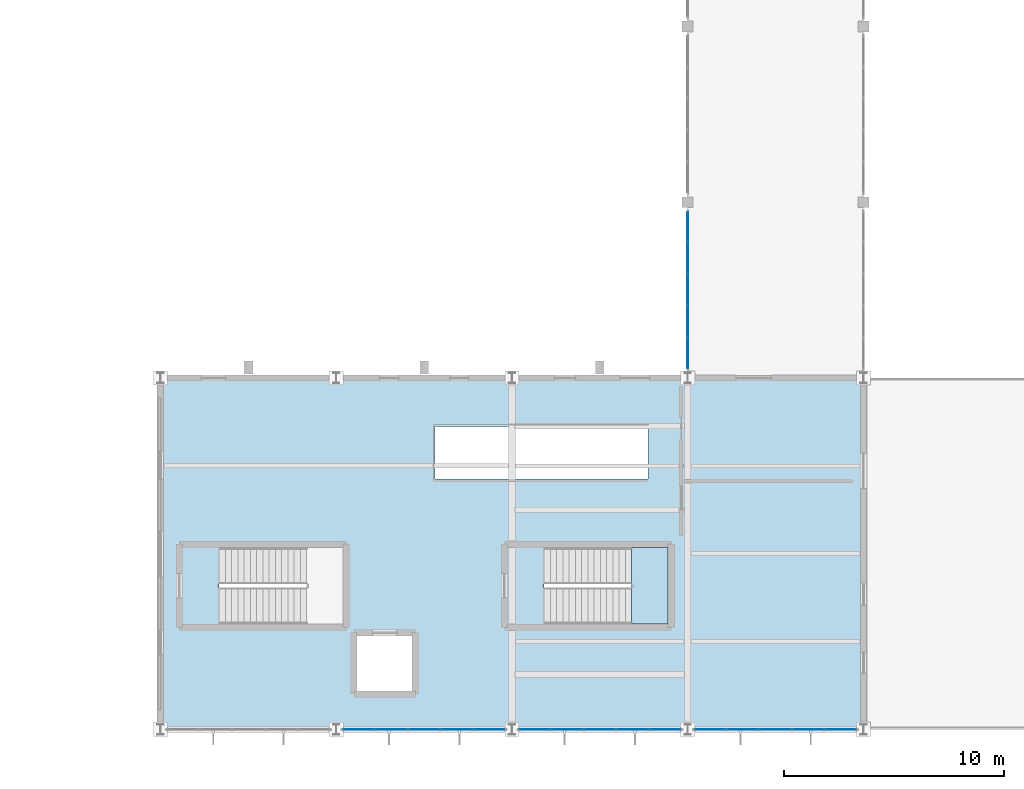
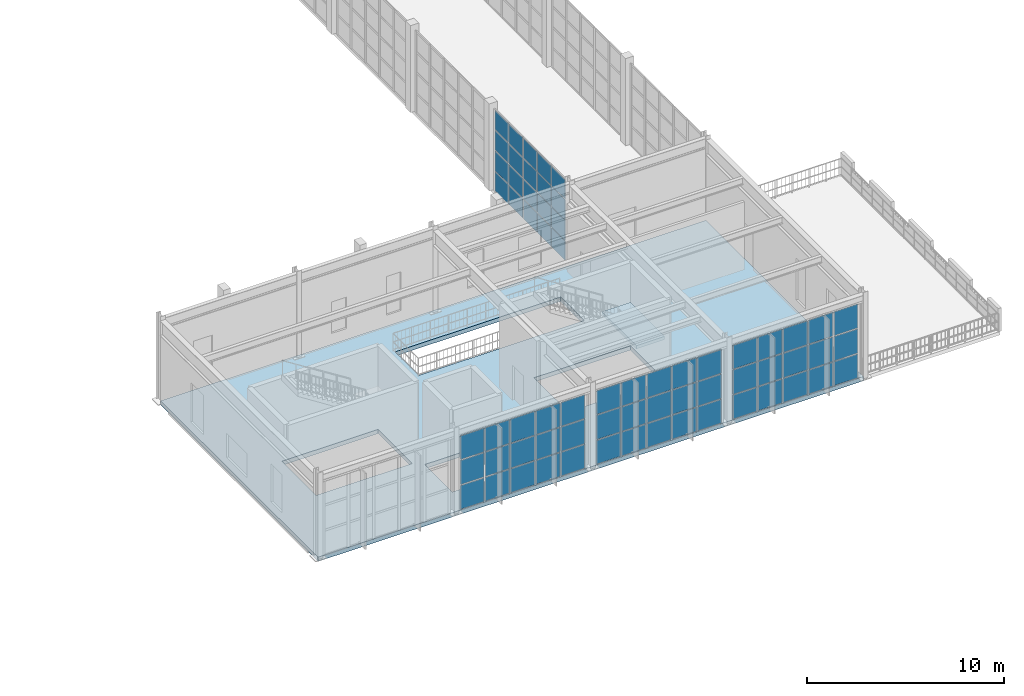
# One storey, part 50 of 82: 65 plates, 2 slabs, 5 elements without a shape of their own.
"""IFC4 building model written with IfcOpenShell, lengths in metres."""

from ifc_helpers import new_model, si_unit, direction, frame, origin, origin_2d, place, context, subcontext, project, spatial, polyline, rectangle, outline, extrude, material, layer, layer_set, type_object, element, aggregate, save


model = new_model("IFC4")

# Units and contexts
model_context = context("Model", 3, precision=1e-05, world=origin(), true_north=direction((0.0, 1.0)))
body_context = subcontext(model_context, "Body", "Model", "MODEL_VIEW")
ifc_project = project(units=[si_unit("LENGTHUNIT", "METRE"), si_unit("AREAUNIT", "SQUARE_METRE"), si_unit("VOLUMEUNIT", "CUBIC_METRE"), si_unit("PLANEANGLEUNIT", "RADIAN"), si_unit("MASSUNIT", "GRAM", prefix="KILO")], contexts=[model_context])

# Site, building, storey
site_placement = place(None, origin())
site = spatial("IfcSite", under=ifc_project, at=site_placement, CompositionType="ELEMENT")
building_placement = place(site_placement, origin())
building = spatial("IfcBuilding", under=site, at=building_placement, Name="Serraluz Foothill Cableway Terminal", CompositionType="ELEMENT")
storey_placement = place(building_placement, frame((0.0, 0.0, 9.60009765625)))
storey = spatial("IfcBuildingStorey", under=building, at=storey_placement, Name="L02", CompositionType="ELEMENT", Elevation=9.60009765625)

# Curtain wall, plates
ifc_material_1 = material(Name="Architectural bronze alloy C28000", Category="aluminium")
curtain_wall_type_1 = type_object("IfcCurtainWallType", Name="TYP-CW-710X420", PredefinedType="NOTDEFINED", material=ifc_material_1)
curtain_wall_1_placement = place(storey_placement, origin())
curtain_wall_1 = element("IfcCurtainWall", 1, at=curtain_wall_1_placement, inside=storey, type_object=curtain_wall_type_1, Name="Ribbed Glazed Curtain Wall CW-CLW-L02-16", PredefinedType="NOTDEFINED")
ifc_material_2 = material(Name="Translucent ribbed laminated channel glass", Category="glass")
ifc_layer_1 = layer(ifc_material_2, 0.028076171875, Name="Translucent ribbed laminated channel glass", Category="glass")
ifc_layer_set_1 = layer_set([ifc_layer_1], Name="Translucent ribbed laminated channel glass")
plate_type_1 = type_object("IfcPlateType", Name="TYP-CW-PNL-28", PredefinedType="CURTAIN_PANEL", material=ifc_layer_set_1)
plate_1_placement = place(storey_placement, frame((120.0, 17.114501953125, 0.059814453125), z_axis=(0.0, 0.0, 1.0), x_axis=(0.0, 1.0, 0.0)))
plate_1 = element("IfcPlate", 2, at=plate_1_placement, type_object=plate_type_1, Name="CW-01 panel 1.1", PredefinedType="CURTAIN_PANEL", context=body_context, shape_type="SweptSolid", body=[
    extrude(rectangle(XDim=1.356689453125, YDim=0.028076171875, at=origin_2d()), origin(), (0.0, 0.0, 1.0), 1.18505859375),
])
plate_2_placement = place(storey_placement, frame((120.0, 17.114501953125, 1.3046875), z_axis=(0.0, 0.0, 1.0), x_axis=(0.0, 1.0, 0.0)))
plate_2 = element("IfcPlate", 3, at=plate_2_placement, type_object=plate_type_1, Name="CW-01 panel 1.2", PredefinedType="CURTAIN_PANEL", context=body_context, shape_type="SweptSolid", body=[
    extrude(rectangle(XDim=1.356689453125, YDim=0.028076171875, at=origin_2d()), origin(), (0.0, 0.0, 1.0), 1.215087890625),
])
plate_3_placement = place(storey_placement, frame((120.0, 17.114501953125, 2.580078125), z_axis=(0.0, 0.0, 1.0), x_axis=(0.0, 1.0, 0.0)))
plate_3 = element("IfcPlate", 4, at=plate_3_placement, type_object=plate_type_1, Name="CW-01 panel 1.3", PredefinedType="CURTAIN_PANEL", context=body_context, shape_type="SweptSolid", body=[
    extrude(rectangle(XDim=1.356689453125, YDim=0.028076171875, at=origin_2d()), origin(), (0.0, 0.0, 1.0), 1.215087890625),
])
plate_4_placement = place(storey_placement, frame((120.0, 17.114501953125, 3.85498046875), z_axis=(0.0, 0.0, 1.0), x_axis=(0.0, 1.0, 0.0)))
plate_4 = element("IfcPlate", 5, at=plate_4_placement, type_object=plate_type_1, Name="CW-01 panel 1.4", PredefinedType="CURTAIN_PANEL", context=body_context, shape_type="SweptSolid", body=[
    extrude(rectangle(XDim=1.356689453125, YDim=0.028076171875, at=origin_2d()), origin(), (0.0, 0.0, 1.0), 1.18505859375),
])
plate_5_placement = place(storey_placement, frame((120.0, 18.546142578125, 0.059814453125), z_axis=(0.0, 0.0, 1.0), x_axis=(0.0, 1.0, 0.0)))
plate_5 = element("IfcPlate", 6, at=plate_5_placement, type_object=plate_type_1, Name="CW-01 panel 2.1", PredefinedType="CURTAIN_PANEL", context=body_context, shape_type="SweptSolid", body=[
    extrude(rectangle(XDim=1.38671875, YDim=0.028076171875, at=origin_2d()), origin(), (0.0, 0.0, 1.0), 1.18505859375),
])
plate_6_placement = place(storey_placement, frame((120.0, 18.546142578125, 1.3046875), z_axis=(0.0, 0.0, 1.0), x_axis=(0.0, 1.0, 0.0)))
plate_6 = element("IfcPlate", 7, at=plate_6_placement, type_object=plate_type_1, Name="CW-01 panel 2.2", PredefinedType="CURTAIN_PANEL", context=body_context, shape_type="SweptSolid", body=[
    extrude(rectangle(XDim=1.38671875, YDim=0.028076171875, at=origin_2d()), origin(), (0.0, 0.0, 1.0), 1.215087890625),
])
plate_7_placement = place(storey_placement, frame((120.0, 18.546142578125, 2.580078125), z_axis=(0.0, 0.0, 1.0), x_axis=(0.0, 1.0, 0.0)))
plate_7 = element("IfcPlate", 8, at=plate_7_placement, type_object=plate_type_1, Name="CW-01 panel 2.3", PredefinedType="CURTAIN_PANEL", context=body_context, shape_type="SweptSolid", body=[
    extrude(rectangle(XDim=1.38671875, YDim=0.028076171875, at=origin_2d()), origin(), (0.0, 0.0, 1.0), 1.215087890625),
])
plate_8_placement = place(storey_placement, frame((120.0, 18.546142578125, 3.85498046875), z_axis=(0.0, 0.0, 1.0), x_axis=(0.0, 1.0, 0.0)))
plate_8 = element("IfcPlate", 9, at=plate_8_placement, type_object=plate_type_1, Name="CW-01 panel 2.4", PredefinedType="CURTAIN_PANEL", context=body_context, shape_type="SweptSolid", body=[
    extrude(rectangle(XDim=1.38671875, YDim=0.028076171875, at=origin_2d()), origin(), (0.0, 0.0, 1.0), 1.18505859375),
])
plate_9_placement = place(storey_placement, frame((120.0, 19.992919921875, 0.059814453125), z_axis=(0.0, 0.0, 1.0), x_axis=(0.0, 1.0, 0.0)))
plate_9 = element("IfcPlate", 10, at=plate_9_placement, type_object=plate_type_1, Name="CW-01 panel 3.1", PredefinedType="CURTAIN_PANEL", context=body_context, shape_type="SweptSolid", body=[
    extrude(rectangle(XDim=1.38671875, YDim=0.028076171875, at=origin_2d()), origin(), (0.0, 0.0, 1.0), 1.18505859375),
])
plate_10_placement = place(storey_placement, frame((120.0, 19.992919921875, 1.3046875), z_axis=(0.0, 0.0, 1.0), x_axis=(0.0, 1.0, 0.0)))
plate_10 = element("IfcPlate", 11, at=plate_10_placement, type_object=plate_type_1, Name="CW-01 panel 3.2", PredefinedType="CURTAIN_PANEL", context=body_context, shape_type="SweptSolid", body=[
    extrude(rectangle(XDim=1.38671875, YDim=0.028076171875, at=origin_2d()), origin(), (0.0, 0.0, 1.0), 1.215087890625),
])
plate_11_placement = place(storey_placement, frame((120.0, 19.992919921875, 2.580078125), z_axis=(0.0, 0.0, 1.0), x_axis=(0.0, 1.0, 0.0)))
plate_11 = element("IfcPlate", 12, at=plate_11_placement, type_object=plate_type_1, Name="CW-01 panel 3.3", PredefinedType="CURTAIN_PANEL", context=body_context, shape_type="SweptSolid", body=[
    extrude(rectangle(XDim=1.38671875, YDim=0.028076171875, at=origin_2d()), origin(), (0.0, 0.0, 1.0), 1.215087890625),
])
plate_12_placement = place(storey_placement, frame((120.0, 19.992919921875, 3.85498046875), z_axis=(0.0, 0.0, 1.0), x_axis=(0.0, 1.0, 0.0)))
plate_12 = element("IfcPlate", 13, at=plate_12_placement, type_object=plate_type_1, Name="CW-01 panel 3.4", PredefinedType="CURTAIN_PANEL", context=body_context, shape_type="SweptSolid", body=[
    extrude(rectangle(XDim=1.38671875, YDim=0.028076171875, at=origin_2d()), origin(), (0.0, 0.0, 1.0), 1.18505859375),
])
plate_13_placement = place(storey_placement, frame((120.0, 21.439697265625, 0.059814453125), z_axis=(0.0, 0.0, 1.0), x_axis=(0.0, 1.0, 0.0)))
plate_13 = element("IfcPlate", 14, at=plate_13_placement, type_object=plate_type_1, Name="CW-01 panel 4.1", PredefinedType="CURTAIN_PANEL", context=body_context, shape_type="SweptSolid", body=[
    extrude(rectangle(XDim=1.38671875, YDim=0.028076171875, at=origin_2d()), origin(), (0.0, 0.0, 1.0), 1.18505859375),
])
plate_14_placement = place(storey_placement, frame((120.0, 21.439697265625, 1.3046875), z_axis=(0.0, 0.0, 1.0), x_axis=(0.0, 1.0, 0.0)))
plate_14 = element("IfcPlate", 15, at=plate_14_placement, type_object=plate_type_1, Name="CW-01 panel 4.2", PredefinedType="CURTAIN_PANEL", context=body_context, shape_type="SweptSolid", body=[
    extrude(rectangle(XDim=1.38671875, YDim=0.028076171875, at=origin_2d()), origin(), (0.0, 0.0, 1.0), 1.215087890625),
])
plate_15_placement = place(storey_placement, frame((120.0, 21.439697265625, 2.580078125), z_axis=(0.0, 0.0, 1.0), x_axis=(0.0, 1.0, 0.0)))
plate_15 = element("IfcPlate", 16, at=plate_15_placement, type_object=plate_type_1, Name="CW-01 panel 4.3", PredefinedType="CURTAIN_PANEL", context=body_context, shape_type="SweptSolid", body=[
    extrude(rectangle(XDim=1.38671875, YDim=0.028076171875, at=origin_2d()), origin(), (0.0, 0.0, 1.0), 1.215087890625),
])
plate_16_placement = place(storey_placement, frame((120.0, 21.439697265625, 3.85498046875), z_axis=(0.0, 0.0, 1.0), x_axis=(0.0, 1.0, 0.0)))
plate_16 = element("IfcPlate", 17, at=plate_16_placement, type_object=plate_type_1, Name="CW-01 panel 4.4", PredefinedType="CURTAIN_PANEL", context=body_context, shape_type="SweptSolid", body=[
    extrude(rectangle(XDim=1.38671875, YDim=0.028076171875, at=origin_2d()), origin(), (0.0, 0.0, 1.0), 1.18505859375),
])
plate_17_placement = place(storey_placement, frame((120.0, 22.87158203125, 0.059814453125), z_axis=(0.0, 0.0, 1.0), x_axis=(0.0, 1.0, 0.0)))
plate_17 = element("IfcPlate", 18, at=plate_17_placement, type_object=plate_type_1, Name="CW-01 panel 5.1", PredefinedType="CURTAIN_PANEL", context=body_context, shape_type="SweptSolid", body=[
    extrude(rectangle(XDim=1.356689453125, YDim=0.028076171875, at=origin_2d()), origin(), (0.0, 0.0, 1.0), 1.18505859375),
])
plate_18_placement = place(storey_placement, frame((120.0, 22.87158203125, 1.3046875), z_axis=(0.0, 0.0, 1.0), x_axis=(0.0, 1.0, 0.0)))
plate_18 = element("IfcPlate", 19, at=plate_18_placement, type_object=plate_type_1, Name="CW-01 panel 5.2", PredefinedType="CURTAIN_PANEL", context=body_context, shape_type="SweptSolid", body=[
    extrude(rectangle(XDim=1.356689453125, YDim=0.028076171875, at=origin_2d()), origin(), (0.0, 0.0, 1.0), 1.215087890625),
])
plate_19_placement = place(storey_placement, frame((120.0, 22.87158203125, 2.580078125), z_axis=(0.0, 0.0, 1.0), x_axis=(0.0, 1.0, 0.0)))
plate_19 = element("IfcPlate", 20, at=plate_19_placement, type_object=plate_type_1, Name="CW-01 panel 5.3", PredefinedType="CURTAIN_PANEL", context=body_context, shape_type="SweptSolid", body=[
    extrude(rectangle(XDim=1.356689453125, YDim=0.028076171875, at=origin_2d()), origin(), (0.0, 0.0, 1.0), 1.215087890625),
])
plate_20_placement = place(storey_placement, frame((120.0, 22.87158203125, 3.85498046875), z_axis=(0.0, 0.0, 1.0), x_axis=(0.0, 1.0, 0.0)))
plate_20 = element("IfcPlate", 21, at=plate_20_placement, type_object=plate_type_1, Name="CW-01 panel 5.4", PredefinedType="CURTAIN_PANEL", context=body_context, shape_type="SweptSolid", body=[
    extrude(rectangle(XDim=1.356689453125, YDim=0.028076171875, at=origin_2d()), origin(), (0.0, 0.0, 1.0), 1.18505859375),
])
aggregate(curtain_wall_1, [plate_1, plate_2, plate_3, plate_4, plate_5, plate_6, plate_7, plate_8, plate_9, plate_10, plate_11, plate_12, plate_13, plate_14, plate_15, plate_16, plate_17, plate_18, plate_19, plate_20])

curtain_wall_type_2 = type_object("IfcCurtainWallType", Name="TYP-CW-480X380", PredefinedType="NOTDEFINED", material=ifc_material_1)
curtain_wall_2_placement = place(storey_placement, origin())
curtain_wall_2 = element("IfcCurtainWall", 22, at=curtain_wall_2_placement, inside=storey, type_object=curtain_wall_type_2, Name="Ribbed Glazed Curtain Wall CW-V3S-L02-104", PredefinedType="NOTDEFINED")
ifc_material_3 = material(Name="Laminated low-E safety glass", Category="glass")
ifc_layer_2 = layer(ifc_material_3, 0.031982421875, Name="Laminated low-E safety glass", Category="glass")
ifc_layer_set_2 = layer_set([ifc_layer_2], Name="Laminated low-E safety glass")
plate_type_2 = type_object("IfcPlateType", Name="TYP-CW-PNL-32", PredefinedType="CURTAIN_PANEL", material=ifc_layer_set_2)
plate_21_placement = place(storey_placement, frame((110.959716796875, 0.0, 0.059814453125), z_axis=(0.0, 0.0, 1.0), x_axis=(-1.0, 0.0, 0.0)))
plate_21 = element("IfcPlate", 23, at=plate_21_placement, type_object=plate_type_2, Name="CW-14 panel 1.1", PredefinedType="CURTAIN_PANEL", context=body_context, shape_type="SweptSolid", body=[
    extrude(rectangle(XDim=1.3974609375, YDim=0.031982421875, at=origin_2d()), origin(), (0.0, 0.0, 1.0), 1.46923828125),
])
plate_22_placement = place(storey_placement, frame((110.959716796875, 0.0, 1.589111328125), z_axis=(0.0, 0.0, 1.0), x_axis=(-1.0, 0.0, 0.0)))
plate_22 = element("IfcPlate", 24, at=plate_22_placement, type_object=plate_type_2, Name="CW-14 panel 1.2", PredefinedType="CURTAIN_PANEL", context=body_context, shape_type="SweptSolid", body=[
    extrude(rectangle(XDim=1.3974609375, YDim=0.031982421875, at=origin_2d()), origin(), (0.0, 0.0, 1.0), 1.49951171875),
])
plate_23_placement = place(storey_placement, frame((110.959716796875, 0.0, 3.148681640625), z_axis=(0.0, 0.0, 1.0), x_axis=(-1.0, 0.0, 0.0)))
plate_23 = element("IfcPlate", 25, at=plate_23_placement, type_object=plate_type_2, Name="CW-14 panel 1.3", PredefinedType="CURTAIN_PANEL", context=body_context, shape_type="SweptSolid", body=[
    extrude(rectangle(XDim=1.3974609375, YDim=0.031982421875, at=origin_2d()), origin(), (0.0, 0.0, 1.0), 1.46923828125),
])
plate_24_placement = place(storey_placement, frame((109.4873046875, 0.0, 0.059814453125), z_axis=(0.0, 0.0, 1.0), x_axis=(-1.0, 0.0, 0.0)))
plate_24 = element("IfcPlate", 26, at=plate_24_placement, type_object=plate_type_2, Name="CW-14 panel 2.1", PredefinedType="CURTAIN_PANEL", context=body_context, shape_type="SweptSolid", body=[
    extrude(rectangle(XDim=1.427490234375, YDim=0.031982421875, at=origin_2d()), origin(), (0.0, 0.0, 1.0), 1.46923828125),
])
plate_25_placement = place(storey_placement, frame((109.4873046875, 0.0, 1.589111328125), z_axis=(0.0, 0.0, 1.0), x_axis=(-1.0, 0.0, 0.0)))
plate_25 = element("IfcPlate", 27, at=plate_25_placement, type_object=plate_type_2, Name="CW-14 panel 2.2", PredefinedType="CURTAIN_PANEL", context=body_context, shape_type="SweptSolid", body=[
    extrude(rectangle(XDim=1.427490234375, YDim=0.031982421875, at=origin_2d()), origin(), (0.0, 0.0, 1.0), 1.49951171875),
])
plate_26_placement = place(storey_placement, frame((109.4873046875, 0.0, 3.148681640625), z_axis=(0.0, 0.0, 1.0), x_axis=(-1.0, 0.0, 0.0)))
plate_26 = element("IfcPlate", 28, at=plate_26_placement, type_object=plate_type_2, Name="CW-14 panel 2.3", PredefinedType="CURTAIN_PANEL", context=body_context, shape_type="SweptSolid", body=[
    extrude(rectangle(XDim=1.427490234375, YDim=0.031982421875, at=origin_2d()), origin(), (0.0, 0.0, 1.0), 1.46923828125),
])
plate_27_placement = place(storey_placement, frame((108.0, 0.0, 0.059814453125), z_axis=(0.0, 0.0, 1.0), x_axis=(-1.0, 0.0, 0.0)))
plate_27 = element("IfcPlate", 29, at=plate_27_placement, type_object=plate_type_2, Name="CW-14 panel 3.1", PredefinedType="CURTAIN_PANEL", context=body_context, shape_type="SweptSolid", body=[
    extrude(rectangle(XDim=1.427490234375, YDim=0.031982421875, at=origin_2d()), origin(), (0.0, 0.0, 1.0), 1.46923828125),
])
plate_28_placement = place(storey_placement, frame((108.0, 0.0, 1.589111328125), z_axis=(0.0, 0.0, 1.0), x_axis=(-1.0, 0.0, 0.0)))
plate_28 = element("IfcPlate", 30, at=plate_28_placement, type_object=plate_type_2, Name="CW-14 panel 3.2", PredefinedType="CURTAIN_PANEL", context=body_context, shape_type="SweptSolid", body=[
    extrude(rectangle(XDim=1.427490234375, YDim=0.031982421875, at=origin_2d()), origin(), (0.0, 0.0, 1.0), 1.49951171875),
])
plate_29_placement = place(storey_placement, frame((108.0, 0.0, 3.148681640625), z_axis=(0.0, 0.0, 1.0), x_axis=(-1.0, 0.0, 0.0)))
plate_29 = element("IfcPlate", 31, at=plate_29_placement, type_object=plate_type_2, Name="CW-14 panel 3.3", PredefinedType="CURTAIN_PANEL", context=body_context, shape_type="SweptSolid", body=[
    extrude(rectangle(XDim=1.427490234375, YDim=0.031982421875, at=origin_2d()), origin(), (0.0, 0.0, 1.0), 1.46923828125),
])
plate_30_placement = place(storey_placement, frame((106.5126953125, 0.0, 0.059814453125), z_axis=(0.0, 0.0, 1.0), x_axis=(-1.0, 0.0, 0.0)))
plate_30 = element("IfcPlate", 32, at=plate_30_placement, type_object=plate_type_2, Name="CW-14 panel 4.1", PredefinedType="CURTAIN_PANEL", context=body_context, shape_type="SweptSolid", body=[
    extrude(rectangle(XDim=1.427490234375, YDim=0.031982421875, at=origin_2d()), origin(), (0.0, 0.0, 1.0), 1.46923828125),
])
plate_31_placement = place(storey_placement, frame((106.5126953125, 0.0, 1.589111328125), z_axis=(0.0, 0.0, 1.0), x_axis=(-1.0, 0.0, 0.0)))
plate_31 = element("IfcPlate", 33, at=plate_31_placement, type_object=plate_type_2, Name="CW-14 panel 4.2", PredefinedType="CURTAIN_PANEL", context=body_context, shape_type="SweptSolid", body=[
    extrude(rectangle(XDim=1.427490234375, YDim=0.031982421875, at=origin_2d()), origin(), (0.0, 0.0, 1.0), 1.49951171875),
])
plate_32_placement = place(storey_placement, frame((106.5126953125, 0.0, 3.148681640625), z_axis=(0.0, 0.0, 1.0), x_axis=(-1.0, 0.0, 0.0)))
plate_32 = element("IfcPlate", 34, at=plate_32_placement, type_object=plate_type_2, Name="CW-14 panel 4.3", PredefinedType="CURTAIN_PANEL", context=body_context, shape_type="SweptSolid", body=[
    extrude(rectangle(XDim=1.427490234375, YDim=0.031982421875, at=origin_2d()), origin(), (0.0, 0.0, 1.0), 1.46923828125),
])
plate_33_placement = place(storey_placement, frame((105.040283203125, 0.0, 0.059814453125), z_axis=(0.0, 0.0, 1.0), x_axis=(-1.0, 0.0, 0.0)))
plate_33 = element("IfcPlate", 35, at=plate_33_placement, type_object=plate_type_2, Name="CW-14 panel 5.1", PredefinedType="CURTAIN_PANEL", context=body_context, shape_type="SweptSolid", body=[
    extrude(rectangle(XDim=1.3974609375, YDim=0.031982421875, at=origin_2d()), origin(), (0.0, 0.0, 1.0), 1.46923828125),
])
plate_34_placement = place(storey_placement, frame((105.040283203125, 0.0, 1.589111328125), z_axis=(0.0, 0.0, 1.0), x_axis=(-1.0, 0.0, 0.0)))
plate_34 = element("IfcPlate", 36, at=plate_34_placement, type_object=plate_type_2, Name="CW-14 panel 5.2", PredefinedType="CURTAIN_PANEL", context=body_context, shape_type="SweptSolid", body=[
    extrude(rectangle(XDim=1.3974609375, YDim=0.031982421875, at=origin_2d()), origin(), (0.0, 0.0, 1.0), 1.49951171875),
])
plate_35_placement = place(storey_placement, frame((105.040283203125, 0.0, 3.148681640625), z_axis=(0.0, 0.0, 1.0), x_axis=(-1.0, 0.0, 0.0)))
plate_35 = element("IfcPlate", 37, at=plate_35_placement, type_object=plate_type_2, Name="CW-14 panel 5.3", PredefinedType="CURTAIN_PANEL", context=body_context, shape_type="SweptSolid", body=[
    extrude(rectangle(XDim=1.3974609375, YDim=0.031982421875, at=origin_2d()), origin(), (0.0, 0.0, 1.0), 1.46923828125),
])
aggregate(curtain_wall_2, [plate_21, plate_22, plate_23, plate_24, plate_25, plate_26, plate_27, plate_28, plate_29, plate_30, plate_31, plate_32, plate_33, plate_34, plate_35])

curtain_wall_type_3 = type_object("IfcCurtainWallType", Name="TYP-CW-480X420", PredefinedType="NOTDEFINED", material=ifc_material_1)
curtain_wall_3_placement = place(storey_placement, origin())
curtain_wall_3 = element("IfcCurtainWall", 38, at=curtain_wall_3_placement, inside=storey, type_object=curtain_wall_type_3, Name="Ribbed Glazed Curtain Wall CW-V3S-L02-112", PredefinedType="NOTDEFINED")
plate_36_placement = place(storey_placement, frame((118.959716796875, 0.0, 0.059814453125), z_axis=(0.0, 0.0, 1.0), x_axis=(-1.0, 0.0, 0.0)))
plate_36 = element("IfcPlate", 39, at=plate_36_placement, type_object=plate_type_2, Name="CW-15 panel 1.1", PredefinedType="CURTAIN_PANEL", context=body_context, shape_type="SweptSolid", body=[
    extrude(rectangle(XDim=1.3974609375, YDim=0.031982421875, at=origin_2d()), origin(), (0.0, 0.0, 1.0), 1.46923828125),
])
plate_37_placement = place(storey_placement, frame((118.959716796875, 0.0, 1.589111328125), z_axis=(0.0, 0.0, 1.0), x_axis=(-1.0, 0.0, 0.0)))
plate_37 = element("IfcPlate", 40, at=plate_37_placement, type_object=plate_type_2, Name="CW-15 panel 1.2", PredefinedType="CURTAIN_PANEL", context=body_context, shape_type="SweptSolid", body=[
    extrude(rectangle(XDim=1.3974609375, YDim=0.031982421875, at=origin_2d()), origin(), (0.0, 0.0, 1.0), 1.49951171875),
])
plate_38_placement = place(storey_placement, frame((118.959716796875, 0.0, 3.148681640625), z_axis=(0.0, 0.0, 1.0), x_axis=(-1.0, 0.0, 0.0)))
plate_38 = element("IfcPlate", 41, at=plate_38_placement, type_object=plate_type_2, Name="CW-15 panel 1.3", PredefinedType="CURTAIN_PANEL", context=body_context, shape_type="SweptSolid", body=[
    extrude(rectangle(XDim=1.3974609375, YDim=0.031982421875, at=origin_2d()), origin(), (0.0, 0.0, 1.0), 1.46923828125),
])
plate_39_placement = place(storey_placement, frame((117.4873046875, 0.0, 0.059814453125), z_axis=(0.0, 0.0, 1.0), x_axis=(-1.0, 0.0, 0.0)))
plate_39 = element("IfcPlate", 42, at=plate_39_placement, type_object=plate_type_2, Name="CW-15 panel 2.1", PredefinedType="CURTAIN_PANEL", context=body_context, shape_type="SweptSolid", body=[
    extrude(rectangle(XDim=1.427490234375, YDim=0.031982421875, at=origin_2d()), origin(), (0.0, 0.0, 1.0), 1.46923828125),
])
plate_40_placement = place(storey_placement, frame((117.4873046875, 0.0, 1.589111328125), z_axis=(0.0, 0.0, 1.0), x_axis=(-1.0, 0.0, 0.0)))
plate_40 = element("IfcPlate", 43, at=plate_40_placement, type_object=plate_type_2, Name="CW-15 panel 2.2", PredefinedType="CURTAIN_PANEL", context=body_context, shape_type="SweptSolid", body=[
    extrude(rectangle(XDim=1.427490234375, YDim=0.031982421875, at=origin_2d()), origin(), (0.0, 0.0, 1.0), 1.49951171875),
])
plate_41_placement = place(storey_placement, frame((117.4873046875, 0.0, 3.148681640625), z_axis=(0.0, 0.0, 1.0), x_axis=(-1.0, 0.0, 0.0)))
plate_41 = element("IfcPlate", 44, at=plate_41_placement, type_object=plate_type_2, Name="CW-15 panel 2.3", PredefinedType="CURTAIN_PANEL", context=body_context, shape_type="SweptSolid", body=[
    extrude(rectangle(XDim=1.427490234375, YDim=0.031982421875, at=origin_2d()), origin(), (0.0, 0.0, 1.0), 1.46923828125),
])
plate_42_placement = place(storey_placement, frame((116.0, 0.0, 0.059814453125), z_axis=(0.0, 0.0, 1.0), x_axis=(-1.0, 0.0, 0.0)))
plate_42 = element("IfcPlate", 45, at=plate_42_placement, type_object=plate_type_2, Name="CW-15 panel 3.1", PredefinedType="CURTAIN_PANEL", context=body_context, shape_type="SweptSolid", body=[
    extrude(rectangle(XDim=1.427490234375, YDim=0.031982421875, at=origin_2d()), origin(), (0.0, 0.0, 1.0), 1.46923828125),
])
plate_43_placement = place(storey_placement, frame((116.0, 0.0, 1.589111328125), z_axis=(0.0, 0.0, 1.0), x_axis=(-1.0, 0.0, 0.0)))
plate_43 = element("IfcPlate", 46, at=plate_43_placement, type_object=plate_type_2, Name="CW-15 panel 3.2", PredefinedType="CURTAIN_PANEL", context=body_context, shape_type="SweptSolid", body=[
    extrude(rectangle(XDim=1.427490234375, YDim=0.031982421875, at=origin_2d()), origin(), (0.0, 0.0, 1.0), 1.49951171875),
])
plate_44_placement = place(storey_placement, frame((116.0, 0.0, 3.148681640625), z_axis=(0.0, 0.0, 1.0), x_axis=(-1.0, 0.0, 0.0)))
plate_44 = element("IfcPlate", 47, at=plate_44_placement, type_object=plate_type_2, Name="CW-15 panel 3.3", PredefinedType="CURTAIN_PANEL", context=body_context, shape_type="SweptSolid", body=[
    extrude(rectangle(XDim=1.427490234375, YDim=0.031982421875, at=origin_2d()), origin(), (0.0, 0.0, 1.0), 1.46923828125),
])
plate_45_placement = place(storey_placement, frame((114.5126953125, 0.0, 0.059814453125), z_axis=(0.0, 0.0, 1.0), x_axis=(-1.0, 0.0, 0.0)))
plate_45 = element("IfcPlate", 48, at=plate_45_placement, type_object=plate_type_2, Name="CW-15 panel 4.1", PredefinedType="CURTAIN_PANEL", context=body_context, shape_type="SweptSolid", body=[
    extrude(rectangle(XDim=1.427490234375, YDim=0.031982421875, at=origin_2d()), origin(), (0.0, 0.0, 1.0), 1.46923828125),
])
plate_46_placement = place(storey_placement, frame((114.5126953125, 0.0, 1.589111328125), z_axis=(0.0, 0.0, 1.0), x_axis=(-1.0, 0.0, 0.0)))
plate_46 = element("IfcPlate", 49, at=plate_46_placement, type_object=plate_type_2, Name="CW-15 panel 4.2", PredefinedType="CURTAIN_PANEL", context=body_context, shape_type="SweptSolid", body=[
    extrude(rectangle(XDim=1.427490234375, YDim=0.031982421875, at=origin_2d()), origin(), (0.0, 0.0, 1.0), 1.49951171875),
])
plate_47_placement = place(storey_placement, frame((114.5126953125, 0.0, 3.148681640625), z_axis=(0.0, 0.0, 1.0), x_axis=(-1.0, 0.0, 0.0)))
plate_47 = element("IfcPlate", 50, at=plate_47_placement, type_object=plate_type_2, Name="CW-15 panel 4.3", PredefinedType="CURTAIN_PANEL", context=body_context, shape_type="SweptSolid", body=[
    extrude(rectangle(XDim=1.427490234375, YDim=0.031982421875, at=origin_2d()), origin(), (0.0, 0.0, 1.0), 1.46923828125),
])
plate_48_placement = place(storey_placement, frame((113.040283203125, 0.0, 0.059814453125), z_axis=(0.0, 0.0, 1.0), x_axis=(-1.0, 0.0, 0.0)))
plate_48 = element("IfcPlate", 51, at=plate_48_placement, type_object=plate_type_2, Name="CW-15 panel 5.1", PredefinedType="CURTAIN_PANEL", context=body_context, shape_type="SweptSolid", body=[
    extrude(rectangle(XDim=1.3974609375, YDim=0.031982421875, at=origin_2d()), origin(), (0.0, 0.0, 1.0), 1.46923828125),
])
plate_49_placement = place(storey_placement, frame((113.040283203125, 0.0, 1.589111328125), z_axis=(0.0, 0.0, 1.0), x_axis=(-1.0, 0.0, 0.0)))
plate_49 = element("IfcPlate", 52, at=plate_49_placement, type_object=plate_type_2, Name="CW-15 panel 5.2", PredefinedType="CURTAIN_PANEL", context=body_context, shape_type="SweptSolid", body=[
    extrude(rectangle(XDim=1.3974609375, YDim=0.031982421875, at=origin_2d()), origin(), (0.0, 0.0, 1.0), 1.49951171875),
])
plate_50_placement = place(storey_placement, frame((113.040283203125, 0.0, 3.148681640625), z_axis=(0.0, 0.0, 1.0), x_axis=(-1.0, 0.0, 0.0)))
plate_50 = element("IfcPlate", 53, at=plate_50_placement, type_object=plate_type_2, Name="CW-15 panel 5.3", PredefinedType="CURTAIN_PANEL", context=body_context, shape_type="SweptSolid", body=[
    extrude(rectangle(XDim=1.3974609375, YDim=0.031982421875, at=origin_2d()), origin(), (0.0, 0.0, 1.0), 1.46923828125),
])
aggregate(curtain_wall_3, [plate_36, plate_37, plate_38, plate_39, plate_40, plate_41, plate_42, plate_43, plate_44, plate_45, plate_46, plate_47, plate_48, plate_49, plate_50])

curtain_wall_type_4 = type_object("IfcCurtainWallType", Name="TYP-CW-440X360", PredefinedType="NOTDEFINED", material=ifc_material_1)
curtain_wall_4_placement = place(storey_placement, origin())
curtain_wall_4 = element("IfcCurtainWall", 54, at=curtain_wall_4_placement, inside=storey, type_object=curtain_wall_type_4, Name="Ribbed Glazed Curtain Wall CW-V3S-L02-120", PredefinedType="NOTDEFINED")
plate_51_placement = place(storey_placement, frame((126.959716796875, 0.0, 0.06005859375), z_axis=(0.0, 0.0, 1.0), x_axis=(-1.0, 0.0, 0.0)))
plate_51 = element("IfcPlate", 55, at=plate_51_placement, type_object=plate_type_2, Name="CW-16 panel 1.1", PredefinedType="CURTAIN_PANEL", context=body_context, shape_type="SweptSolid", body=[
    extrude(rectangle(XDim=1.3974609375, YDim=0.031982421875, at=origin_2d()), origin(), (0.0, 0.0, 1.0), 1.474365234375),
])
plate_52_placement = place(storey_placement, frame((126.959716796875, 0.0, 1.59423828125), z_axis=(0.0, 0.0, 1.0), x_axis=(-1.0, 0.0, 0.0)))
plate_52 = element("IfcPlate", 56, at=plate_52_placement, type_object=plate_type_2, Name="CW-16 panel 1.2", PredefinedType="CURTAIN_PANEL", context=body_context, shape_type="SweptSolid", body=[
    extrude(rectangle(XDim=1.3974609375, YDim=0.031982421875, at=origin_2d()), origin(), (0.0, 0.0, 1.0), 1.50439453125),
])
plate_53_placement = place(storey_placement, frame((126.959716796875, 0.0, 3.15869140625), z_axis=(0.0, 0.0, 1.0), x_axis=(-1.0, 0.0, 0.0)))
plate_53 = element("IfcPlate", 57, at=plate_53_placement, type_object=plate_type_2, Name="CW-16 panel 1.3", PredefinedType="CURTAIN_PANEL", context=body_context, shape_type="SweptSolid", body=[
    extrude(rectangle(XDim=1.3974609375, YDim=0.031982421875, at=origin_2d()), origin(), (0.0, 0.0, 1.0), 1.474365234375),
])
plate_54_placement = place(storey_placement, frame((125.4873046875, 0.0, 0.06005859375), z_axis=(0.0, 0.0, 1.0), x_axis=(-1.0, 0.0, 0.0)))
plate_54 = element("IfcPlate", 58, at=plate_54_placement, type_object=plate_type_2, Name="CW-16 panel 2.1", PredefinedType="CURTAIN_PANEL", context=body_context, shape_type="SweptSolid", body=[
    extrude(rectangle(XDim=1.427490234375, YDim=0.031982421875, at=origin_2d()), origin(), (0.0, 0.0, 1.0), 1.474365234375),
])
plate_55_placement = place(storey_placement, frame((125.4873046875, 0.0, 1.59423828125), z_axis=(0.0, 0.0, 1.0), x_axis=(-1.0, 0.0, 0.0)))
plate_55 = element("IfcPlate", 59, at=plate_55_placement, type_object=plate_type_2, Name="CW-16 panel 2.2", PredefinedType="CURTAIN_PANEL", context=body_context, shape_type="SweptSolid", body=[
    extrude(rectangle(XDim=1.427490234375, YDim=0.031982421875, at=origin_2d()), origin(), (0.0, 0.0, 1.0), 1.50439453125),
])
plate_56_placement = place(storey_placement, frame((125.4873046875, 0.0, 3.15869140625), z_axis=(0.0, 0.0, 1.0), x_axis=(-1.0, 0.0, 0.0)))
plate_56 = element("IfcPlate", 60, at=plate_56_placement, type_object=plate_type_2, Name="CW-16 panel 2.3", PredefinedType="CURTAIN_PANEL", context=body_context, shape_type="SweptSolid", body=[
    extrude(rectangle(XDim=1.427490234375, YDim=0.031982421875, at=origin_2d()), origin(), (0.0, 0.0, 1.0), 1.474365234375),
])
plate_57_placement = place(storey_placement, frame((124.0, 0.0, 0.06005859375), z_axis=(0.0, 0.0, 1.0), x_axis=(-1.0, 0.0, 0.0)))
plate_57 = element("IfcPlate", 61, at=plate_57_placement, type_object=plate_type_2, Name="CW-16 panel 3.1", PredefinedType="CURTAIN_PANEL", context=body_context, shape_type="SweptSolid", body=[
    extrude(rectangle(XDim=1.427490234375, YDim=0.031982421875, at=origin_2d()), origin(), (0.0, 0.0, 1.0), 1.474365234375),
])
plate_58_placement = place(storey_placement, frame((124.0, 0.0, 1.59423828125), z_axis=(0.0, 0.0, 1.0), x_axis=(-1.0, 0.0, 0.0)))
plate_58 = element("IfcPlate", 62, at=plate_58_placement, type_object=plate_type_2, Name="CW-16 panel 3.2", PredefinedType="CURTAIN_PANEL", context=body_context, shape_type="SweptSolid", body=[
    extrude(rectangle(XDim=1.427490234375, YDim=0.031982421875, at=origin_2d()), origin(), (0.0, 0.0, 1.0), 1.50439453125),
])
plate_59_placement = place(storey_placement, frame((124.0, 0.0, 3.15869140625), z_axis=(0.0, 0.0, 1.0), x_axis=(-1.0, 0.0, 0.0)))
plate_59 = element("IfcPlate", 63, at=plate_59_placement, type_object=plate_type_2, Name="CW-16 panel 3.3", PredefinedType="CURTAIN_PANEL", context=body_context, shape_type="SweptSolid", body=[
    extrude(rectangle(XDim=1.427490234375, YDim=0.031982421875, at=origin_2d()), origin(), (0.0, 0.0, 1.0), 1.474365234375),
])
plate_60_placement = place(storey_placement, frame((122.5126953125, 0.0, 0.06005859375), z_axis=(0.0, 0.0, 1.0), x_axis=(-1.0, 0.0, 0.0)))
plate_60 = element("IfcPlate", 64, at=plate_60_placement, type_object=plate_type_2, Name="CW-16 panel 4.1", PredefinedType="CURTAIN_PANEL", context=body_context, shape_type="SweptSolid", body=[
    extrude(rectangle(XDim=1.427490234375, YDim=0.031982421875, at=origin_2d()), origin(), (0.0, 0.0, 1.0), 1.474365234375),
])
plate_61_placement = place(storey_placement, frame((122.5126953125, 0.0, 1.59423828125), z_axis=(0.0, 0.0, 1.0), x_axis=(-1.0, 0.0, 0.0)))
plate_61 = element("IfcPlate", 65, at=plate_61_placement, type_object=plate_type_2, Name="CW-16 panel 4.2", PredefinedType="CURTAIN_PANEL", context=body_context, shape_type="SweptSolid", body=[
    extrude(rectangle(XDim=1.427490234375, YDim=0.031982421875, at=origin_2d()), origin(), (0.0, 0.0, 1.0), 1.50439453125),
])
plate_62_placement = place(storey_placement, frame((122.5126953125, 0.0, 3.15869140625), z_axis=(0.0, 0.0, 1.0), x_axis=(-1.0, 0.0, 0.0)))
plate_62 = element("IfcPlate", 66, at=plate_62_placement, type_object=plate_type_2, Name="CW-16 panel 4.3", PredefinedType="CURTAIN_PANEL", context=body_context, shape_type="SweptSolid", body=[
    extrude(rectangle(XDim=1.427490234375, YDim=0.031982421875, at=origin_2d()), origin(), (0.0, 0.0, 1.0), 1.474365234375),
])
plate_63_placement = place(storey_placement, frame((121.040283203125, 0.0, 0.06005859375), z_axis=(0.0, 0.0, 1.0), x_axis=(-1.0, 0.0, 0.0)))
plate_63 = element("IfcPlate", 67, at=plate_63_placement, type_object=plate_type_2, Name="CW-16 panel 5.1", PredefinedType="CURTAIN_PANEL", context=body_context, shape_type="SweptSolid", body=[
    extrude(rectangle(XDim=1.3974609375, YDim=0.031982421875, at=origin_2d()), origin(), (0.0, 0.0, 1.0), 1.474365234375),
])
plate_64_placement = place(storey_placement, frame((121.040283203125, 0.0, 1.59423828125), z_axis=(0.0, 0.0, 1.0), x_axis=(-1.0, 0.0, 0.0)))
plate_64 = element("IfcPlate", 68, at=plate_64_placement, type_object=plate_type_2, Name="CW-16 panel 5.2", PredefinedType="CURTAIN_PANEL", context=body_context, shape_type="SweptSolid", body=[
    extrude(rectangle(XDim=1.3974609375, YDim=0.031982421875, at=origin_2d()), origin(), (0.0, 0.0, 1.0), 1.50439453125),
])
plate_65_placement = place(storey_placement, frame((121.040283203125, 0.0, 3.15869140625), z_axis=(0.0, 0.0, 1.0), x_axis=(-1.0, 0.0, 0.0)))
plate_65 = element("IfcPlate", 69, at=plate_65_placement, type_object=plate_type_2, Name="CW-16 panel 5.3", PredefinedType="CURTAIN_PANEL", context=body_context, shape_type="SweptSolid", body=[
    extrude(rectangle(XDim=1.3974609375, YDim=0.031982421875, at=origin_2d()), origin(), (0.0, 0.0, 1.0), 1.474365234375),
])
aggregate(curtain_wall_4, [plate_51, plate_52, plate_53, plate_54, plate_55, plate_56, plate_57, plate_58, plate_59, plate_60, plate_61, plate_62, plate_63, plate_64, plate_65])

# Slab
ifc_material_4 = material(Name="Concrete C28/35 (f'c 28 MPa)", Category="concrete")
ifc_layer_3 = layer(ifc_material_4, 0.260009765625, Name="Concrete C28/35 (f'c 28 MPa)", Category="concrete")
ifc_layer_set_3 = layer_set([ifc_layer_3], Name="Concrete C28/35 (f'c 28 MPa)")
slab_type_1 = type_object("IfcSlabType", Name="TYP-SLB-FLR-260", PredefinedType="FLOOR", material=ifc_layer_set_3)
slab_1_placement = place(storey_placement, frame((0.0, 0.0, -0.260009765625)))
element("IfcSlab", 70, at=slab_1_placement, inside=storey, type_object=slab_type_1, Name="Structural Slab SLB-L02-V3A", PredefinedType="FLOOR", context=body_context, shape_type="SweptSolid", body=[
    extrude(outline(polyline([(96.0, 0.0), (128.0, 0.0), (128.0, 16.0), (96.0, 16.0), (96.0, 0.0)]), holes=[polyline([(98.659912109375, 4.800048828125), (104.31005859375, 4.800048828125), (104.31005859375, 8.280029296875), (98.659912109375, 8.280029296875), (98.659912109375, 4.800048828125)]), polyline([(113.4599609375, 4.800048828125), (119.110107421875, 4.800048828125), (119.110107421875, 8.280029296875), (113.4599609375, 8.280029296875), (113.4599609375, 4.800048828125)]), polyline([(104.800048828125, 1.60009765625), (107.60009765625, 1.60009765625), (107.60009765625, 4.39990234375), (104.800048828125, 4.39990234375), (104.800048828125, 1.60009765625)]), polyline([(108.5, 11.39990234375), (118.199951171875, 11.39990234375), (118.199951171875, 13.800048828125), (108.5, 13.800048828125), (108.5, 11.39990234375)])]), origin(), (0.0, 0.0, 1.0), 0.260009765625),
])

# Stair, slab
ifc_material_5 = material(Name="Concrete C35/45 (f'c 35 MPa)", Category="concrete")
stair_type = type_object("IfcStairType", Name="TYP-ST-DOG-166-54", PredefinedType="HALF_TURN_STAIR", material=ifc_material_5)
stair_placement = place(storey_placement, origin())
stair = element("IfcStair", 71, at=stair_placement, inside=storey, type_object=stair_type, Name="L02 ST-07", PredefinedType="HALF_TURN_STAIR")
ifc_layer_4 = layer(ifc_material_4, 0.199951171875, Name="Concrete C28/35 (f'c 28 MPa)", Category="concrete")
ifc_layer_set_4 = layer_set([ifc_layer_4], Name="Concrete C28/35 (f'c 28 MPa)")
slab_type_2 = type_object("IfcSlabType", Name="TYP-SLB-LND-200", PredefinedType="LANDING", material=ifc_layer_set_4)
slab_2_placement = place(storey_placement, frame((0.0, 0.0, 2.5)))
slab_2 = element("IfcSlab", 72, at=slab_2_placement, type_object=slab_type_2, Name="ST-07 landing 1", PredefinedType="LANDING", context=body_context, shape_type="SweptSolid", body=[
    extrude(outline(polyline([(117.449951171875, 4.800048828125), (119.110107421875, 4.800048828125), (119.110107421875, 8.280029296875), (117.449951171875, 8.280029296875), (117.449951171875, 4.800048828125)])), origin(), (0.0, 0.0, 1.0), 0.199951171875),
])
aggregate(stair, [slab_2])

save(model, "model.ifc")
